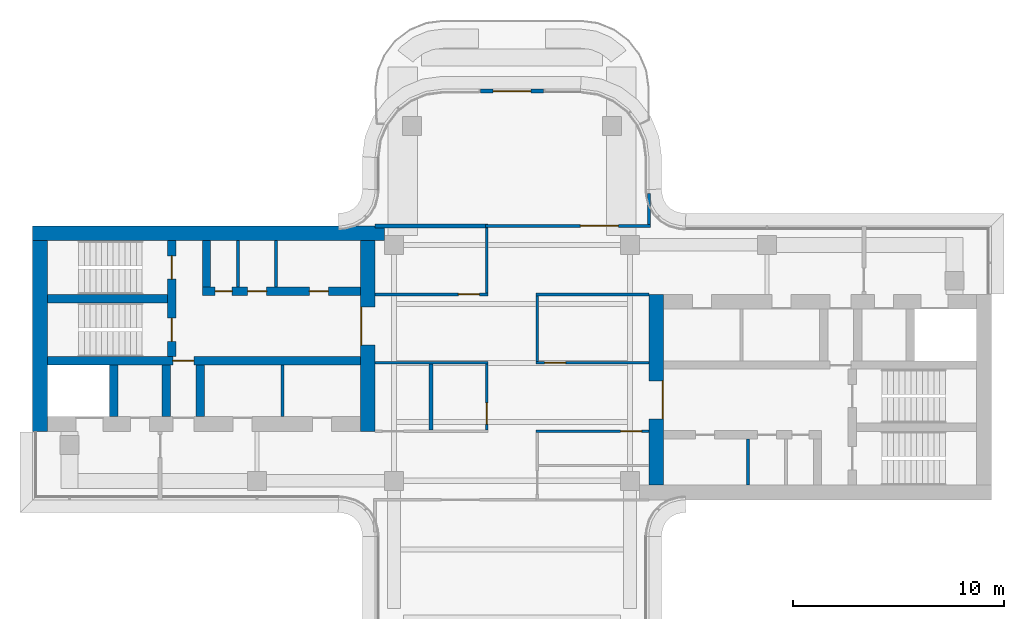
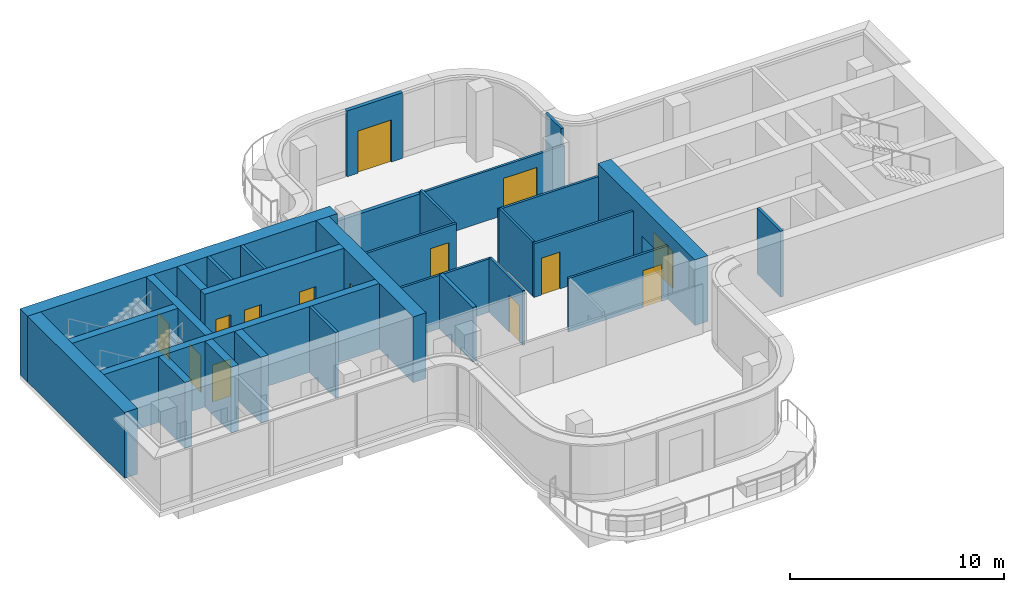
# One storey, part 8 of 11: 29 walls, 14 doors, 14 openings.
"""IFC4 building model written with IfcOpenShell, lengths in metres."""

from ifc_helpers import new_model, si_unit, direction, frame, frame_2d, origin, place, context, subcontext, project, spatial, rectangle, extrude, source, transform, mapped, material, layer, layer_set, type_object, element, fill, save


model = new_model("IFC4")

# Units and contexts
model_context = context("Model", 3, precision=1e-05, world=origin(), true_north=direction((0.0, 1.0)))
body_context = subcontext(model_context, "Body", "Model", "MODEL_VIEW")
ifc_project = project(units=[si_unit("LENGTHUNIT", "METRE"), si_unit("AREAUNIT", "SQUARE_METRE"), si_unit("VOLUMEUNIT", "CUBIC_METRE"), si_unit("PLANEANGLEUNIT", "RADIAN"), si_unit("MASSUNIT", "GRAM", prefix="KILO")], contexts=[model_context])

# Site, building, storey
site_placement = place(None, origin())
site = spatial("IfcSite", under=ifc_project, at=site_placement, CompositionType="ELEMENT")
building_placement = place(site_placement, origin())
building = spatial("IfcBuilding", under=site, at=building_placement, Name="Trellis Farm Tower", CompositionType="ELEMENT")
storey_placement = place(building_placement, frame((0.0, 0.0, 346.10009765625)))
storey = spatial("IfcBuildingStorey", under=building, at=storey_placement, Name="L78", CompositionType="ELEMENT", Elevation=346.10009765625)

# Wall, opening, door
ifc_material_1 = material(Name="Concrete C50/60", Category="concrete")
ifc_layer_1 = layer(ifc_material_1, 0.699951171875)
ifc_layer_set_1 = layer_set([ifc_layer_1], Name="CORE OUTER WALL 700 CONCRETE C50/60")
wall_type_1 = type_object("IfcWallType", Name="CORE OUTER WALL 700 CONCRETE C50/60", PredefinedType="SHEAR", material=ifc_layer_set_1)
shared_shape_1 = source(origin(), body_context, "Body", "SweptSolid", [
    extrude(rectangle(XDim=9.050048828125, YDim=0.699951171875, at=frame_2d((4.52490234375, 0.0))), origin(), (0.0, 0.0, 1.0), 3.75),
])
wall_1_placement = place(storey_placement, frame((6.85009765625, -5.800048828125, 0.0), z_axis=(0.0, 0.0, 1.0), x_axis=(0.0, 1.0, 0.0)))
wall_1 = element("IfcWall", 1, at=wall_1_placement, inside=storey, type_object=wall_type_1, Name="Core wall", PredefinedType="SHEAR", context=body_context, shape_type="MappedRepresentation", body=[
    mapped(shared_shape_1, transform((0.0, 0.0, 0.0))),
])
shared_shape_2 = source(origin(), body_context, "Body", "SweptSolid", [
    extrude(rectangle(XDim=1.800048828125, YDim=2.10009765625, at=frame_2d((0.89990234375, 1.050048828125))), frame((0.0, 0.360107421875, 0.0), z_axis=(0.0, -1.0, 0.0), x_axis=(1.0, 0.0, 0.0)), (0.0, 0.0, 1.0), 0.72021484375),
])
opening_1_placement = place(wall_1_placement, frame((3.14990234375, 0.0, 0.0)))
opening_1 = element("IfcOpeningElement", 2, at=opening_1_placement, cuts=wall_1, Name="Opening DC1", PredefinedType="OPENING", context=body_context, shape_type="MappedRepresentation", body=[
    mapped(shared_shape_2, transform((0.0, 0.0, 0.0))),
])
ifc_material_2 = material(Name="Steel", Category="steel")
door_type_1 = type_object("IfcDoorType", Name="CORE FIRE DOOR DOUBLE 1800 X 2100", OperationType="DOUBLE_DOOR_SINGLE_SWING", PredefinedType="DOOR", material=ifc_material_2)
shared_shape_3 = source(origin(), body_context, "Body", "SweptSolid", [
    extrude(rectangle(XDim=1.800048828125, YDim=2.10009765625, at=frame_2d((0.89990234375, 1.050048828125))), frame((0.0, -0.27490234375, 0.0), z_axis=(0.0, -1.0, 0.0), x_axis=(1.0, 0.0, 0.0)), (0.0, 0.0, 1.0), 0.050048828125),
])
door_1_placement = place(opening_1_placement, origin())
door_1 = element("IfcDoor", 3, at=door_1_placement, inside=storey, type_object=door_type_1, Name="Core door", OperationType="DOUBLE_DOOR_SINGLE_SWING", OverallHeight=2.10009765625, OverallWidth=1.800048828125, PredefinedType="DOOR", context=body_context, shape_type="MappedRepresentation", body=[
    mapped(shared_shape_3, transform((0.0, 0.0, 0.0))),
])
fill(opening_1, door_1)

wall_2_placement = place(storey_placement, frame((-6.85009765625, 5.800048828125, 0.0), z_axis=(0.0, 0.0, 1.0), x_axis=(0.0, -1.0, 0.0)))
wall_2 = element("IfcWall", 4, at=wall_2_placement, inside=storey, type_object=wall_type_1, Name="Core wall", PredefinedType="SHEAR", context=body_context, shape_type="MappedRepresentation", body=[
    mapped(shared_shape_1, transform((0.0, 0.0, 0.0))),
])
opening_2_placement = place(wall_2_placement, frame((3.14990234375, 0.0, 0.0)))
opening_2 = element("IfcOpeningElement", 5, at=opening_2_placement, cuts=wall_2, Name="Opening DC87", PredefinedType="OPENING", context=body_context, shape_type="MappedRepresentation", body=[
    mapped(shared_shape_2, transform((0.0, 0.0, 0.0))),
])
door_2_placement = place(opening_2_placement, origin())
door_2 = element("IfcDoor", 6, at=door_2_placement, inside=storey, type_object=door_type_1, Name="Core door", OperationType="DOUBLE_DOOR_SINGLE_SWING", OverallHeight=2.10009765625, OverallWidth=1.800048828125, PredefinedType="DOOR", context=body_context, shape_type="MappedRepresentation", body=[
    mapped(shared_shape_3, transform((0.0, 0.0, 0.0))),
])
fill(opening_2, door_2)

# Walls
wall_3_placement = place(storey_placement, frame((-22.39990234375, 5.800048828125, 0.0), z_axis=(0.0, 0.0, 1.0), x_axis=(0.0, -1.0, 0.0)))
element("IfcWall", 7, at=wall_3_placement, inside=storey, type_object=wall_type_1, Name="Core wall", PredefinedType="SHEAR", context=body_context, shape_type="MappedRepresentation", body=[
    mapped(shared_shape_1, transform((0.0, 0.0, 0.0))),
])
ifc_layer_2 = layer(ifc_material_1, 0.39990234375)
ifc_layer_set_2 = layer_set([ifc_layer_2], Name="CORE INNER WALL 400 CONCRETE C50/60")
wall_type_2 = type_object("IfcWallType", Name="CORE INNER WALL 400 CONCRETE C50/60", PredefinedType="SHEAR", material=ifc_layer_set_2)
shared_shape_4 = source(origin(), body_context, "Body", "SweptSolid", [
    extrude(rectangle(XDim=2.449951171875, YDim=0.39990234375, at=frame_2d((1.22509765625, 0.0))), origin(), (0.0, 0.0, 1.0), 3.75),
])
for number, where, z_axis, x_axis, name in (
    (8, (-14.800048828125, -0.10009765625, 0.0), (0.0, 0.0, 1.0), (0.0, -1.0, 0.0), "Core wall"),
    (9, (-16.39990234375, -0.10009765625, 0.0), (0.0, 0.0, 1.0), (0.0, -1.0, 0.0), "Core wall"),
    (10, (-18.89990234375, -0.10009765625, 0.0), (0.0, 0.0, 1.0), (0.0, -1.0, 0.0), "Core wall"),
):
    element("IfcWall", number, at=place(storey_placement, frame(where, z_axis=z_axis, x_axis=x_axis)), inside=storey, type_object=wall_type_2, Name=name, PredefinedType="SHEAR", context=body_context, shape_type="MappedRepresentation", body=[
        mapped(shared_shape_4, transform((0.0, 0.0, 0.0))),
    ])
ifc_material_3 = material(Name="Masonry blockwork", Category="masonry")
ifc_layer_3 = layer(ifc_material_3, 0.14990234375)
ifc_layer_set_3 = layer_set([ifc_layer_3], Name="CORE PARTITION 150 BLOCKWORK")
wall_type_3 = type_object("IfcWallType", Name="CORE PARTITION 150 BLOCKWORK", PredefinedType="PARTITIONING", material=ifc_layer_set_3)
shared_shape_5 = source(origin(), body_context, "Body", "SweptSolid", [
    extrude(rectangle(XDim=2.449951171875, YDim=0.14990234375, at=frame_2d((1.22509765625, 0.0))), origin(), (0.0, 0.0, 1.0), 3.75),
])
wall_4_placement = place(storey_placement, frame((-10.89990234375, -0.10009765625, 0.0), z_axis=(0.0, 0.0, 1.0), x_axis=(0.0, -1.0, 0.0)))
element("IfcWall", 11, at=wall_4_placement, inside=storey, type_object=wall_type_3, Name="Core room partition", PredefinedType="PARTITIONING", context=body_context, shape_type="MappedRepresentation", body=[
    mapped(shared_shape_5, transform((0.0, 0.0, 0.0))),
])
shared_shape_6 = source(origin(), body_context, "Body", "SweptSolid", [
    extrude(rectangle(XDim=16.699951171875, YDim=0.699951171875, at=frame_2d((8.35009765625, 0.0))), origin(), (0.0, 0.0, 1.0), 3.75),
])
wall_5_placement = place(storey_placement, frame((-6.050048828125, 6.14990234375, 0.0), z_axis=(0.0, 0.0, 1.0), x_axis=(-1.0, 0.0, 0.0)))
element("IfcWall", 12, at=wall_5_placement, inside=storey, type_object=wall_type_1, Name="Core wall", PredefinedType="SHEAR", context=body_context, shape_type="MappedRepresentation", body=[
    mapped(shared_shape_6, transform((0.0, 0.0, 0.0))),
])

# Wall, openings, doors
shared_shape_7 = source(origin(), body_context, "Body", "SweptSolid", [
    extrude(rectangle(XDim=7.5, YDim=0.39990234375, at=frame_2d((3.75, 0.0))), origin(), (0.0, 0.0, 1.0), 3.75),
])
wall_6_placement = place(storey_placement, frame((-7.199951171875, 3.39990234375, 0.0), z_axis=(0.0, 0.0, 1.0), x_axis=(-1.0, 0.0, 0.0)))
wall_6 = element("IfcWall", 13, at=wall_6_placement, inside=storey, type_object=wall_type_2, Name="Core wall", PredefinedType="SHEAR", context=body_context, shape_type="MappedRepresentation", body=[
    mapped(shared_shape_7, transform((0.0, 0.0, 0.0))),
])
shared_shape_8 = source(origin(), body_context, "Body", "SweptSolid", [
    extrude(rectangle(XDim=0.89990234375, YDim=2.10009765625, at=frame_2d((0.449951171875, 1.050048828125))), frame((0.0, 0.2099609375, 0.0), z_axis=(0.0, -1.0, 0.0), x_axis=(1.0, 0.0, 0.0)), (0.0, 0.0, 1.0), 0.419921875),
])
opening_3_placement = place(wall_6_placement, frame((1.512451171875, 0.0, 0.0)))
opening_3 = element("IfcOpeningElement", 14, at=opening_3_placement, cuts=wall_6, Name="Opening DC139", PredefinedType="OPENING", context=body_context, shape_type="MappedRepresentation", body=[
    mapped(shared_shape_8, transform((0.0, 0.0, 0.0))),
])
opening_4_placement = place(wall_6_placement, frame((4.449951171875, 0.0, 0.0)))
opening_4 = element("IfcOpeningElement", 15, at=opening_4_placement, cuts=wall_6, Name="Opening DC146", PredefinedType="OPENING", context=body_context, shape_type="MappedRepresentation", body=[
    mapped(shared_shape_8, transform((0.0, 0.0, 0.0))),
])
shared_shape_9 = source(origin(), body_context, "Body", "SweptSolid", [
    extrude(rectangle(XDim=0.800048828125, YDim=2.10009765625, at=frame_2d((0.39990234375, 1.050048828125))), frame((0.0, 0.2099609375, 0.0), z_axis=(0.0, -1.0, 0.0), x_axis=(1.0, 0.0, 0.0)), (0.0, 0.0, 1.0), 0.419921875),
])
opening_5_placement = place(wall_6_placement, frame((6.08740234375, 0.0, 0.0)))
opening_5 = element("IfcOpeningElement", 16, at=opening_5_placement, cuts=wall_6, Name="Opening DC149", PredefinedType="OPENING", context=body_context, shape_type="MappedRepresentation", body=[
    mapped(shared_shape_9, transform((0.0, 0.0, 0.0))),
])
door_type_2 = type_object("IfcDoorType", Name="CORE FIRE DOOR 900 X 2100", OperationType="NOTDEFINED", PredefinedType="DOOR", material=ifc_material_2)
shared_shape_10 = source(origin(), body_context, "Body", "SweptSolid", [
    extrude(rectangle(XDim=0.89990234375, YDim=2.10009765625, at=frame_2d((0.449951171875, 1.050048828125))), frame((0.0, 0.02490234375, 0.0), z_axis=(0.0, -1.0, 0.0), x_axis=(1.0, 0.0, 0.0)), (0.0, 0.0, 1.0), 0.050048828125),
])
door_3_placement = place(opening_3_placement, origin())
door_3 = element("IfcDoor", 17, at=door_3_placement, inside=storey, type_object=door_type_2, Name="Core door", OperationType="SINGLE_SWING_LEFT", OverallHeight=2.10009765625, OverallWidth=0.89990234375, PredefinedType="DOOR", context=body_context, shape_type="MappedRepresentation", body=[
    mapped(shared_shape_10, transform((0.0, 0.0, 0.0))),
])
fill(opening_3, door_3)
door_4_placement = place(opening_4_placement, origin())
door_4 = element("IfcDoor", 18, at=door_4_placement, inside=storey, type_object=door_type_2, Name="Core door", OperationType="SINGLE_SWING_RIGHT", OverallHeight=2.10009765625, OverallWidth=0.89990234375, PredefinedType="DOOR", context=body_context, shape_type="MappedRepresentation", body=[
    mapped(shared_shape_10, transform((0.0, 0.0, 0.0))),
])
fill(opening_4, door_4)
door_type_3 = type_object("IfcDoorType", Name="CORE FIRE DOOR 800 X 2100", OperationType="NOTDEFINED", PredefinedType="DOOR", material=ifc_material_2)
shared_shape_11 = source(origin(), body_context, "Body", "SweptSolid", [
    extrude(rectangle(XDim=0.800048828125, YDim=2.10009765625, at=frame_2d((0.39990234375, 1.050048828125))), frame((0.0, 0.02490234375, 0.0), z_axis=(0.0, -1.0, 0.0), x_axis=(1.0, 0.0, 0.0)), (0.0, 0.0, 1.0), 0.050048828125),
])
door_5_placement = place(opening_5_placement, origin())
door_5 = element("IfcDoor", 19, at=door_5_placement, inside=storey, type_object=door_type_3, Name="Core door", OperationType="SINGLE_SWING_LEFT", OverallHeight=2.10009765625, OverallWidth=0.800048828125, PredefinedType="DOOR", context=body_context, shape_type="MappedRepresentation", body=[
    mapped(shared_shape_11, transform((0.0, 0.0, 0.0))),
])
fill(opening_5, door_5)

# Wall, opening, door
shared_shape_12 = source(origin(), body_context, "Body", "SweptSolid", [
    extrude(rectangle(XDim=14.85009765625, YDim=0.39990234375, at=frame_2d((7.425048828125, 0.0))), origin(), (0.0, 0.0, 1.0), 3.75),
])
wall_7_placement = place(storey_placement, frame((-7.199951171875, 0.10009765625, 0.0), z_axis=(0.0, 0.0, 1.0), x_axis=(-1.0, 0.0, 0.0)))
wall_7 = element("IfcWall", 20, at=wall_7_placement, inside=storey, type_object=wall_type_2, Name="Core wall", PredefinedType="SHEAR", context=body_context, shape_type="MappedRepresentation", body=[
    mapped(shared_shape_12, transform((0.0, 0.0, 0.0))),
])
shared_shape_13 = source(origin(), body_context, "Body", "SweptSolid", [
    extrude(rectangle(XDim=1.0, YDim=2.10009765625, at=frame_2d((0.5, 1.050048828125))), frame((0.0, 0.2099609375, 0.0), z_axis=(0.0, -1.0, 0.0), x_axis=(1.0, 0.0, 0.0)), (0.0, 0.0, 1.0), 0.419921875),
])
opening_6_placement = place(wall_7_placement, frame((7.89990234375, 0.0, 0.0)))
opening_6 = element("IfcOpeningElement", 21, at=opening_6_placement, cuts=wall_7, Name="Opening DC91", PredefinedType="OPENING", context=body_context, shape_type="MappedRepresentation", body=[
    mapped(shared_shape_13, transform((0.0, 0.0, 0.0))),
])
door_type_4 = type_object("IfcDoorType", Name="CORE FIRE DOOR 1000 X 2100", OperationType="NOTDEFINED", PredefinedType="DOOR", material=ifc_material_2)
shared_shape_14 = source(origin(), body_context, "Body", "SweptSolid", [
    extrude(rectangle(XDim=1.0, YDim=2.10009765625, at=frame_2d((0.5, 1.050048828125))), frame((0.0, 0.02490234375, 0.0), z_axis=(0.0, -1.0, 0.0), x_axis=(1.0, 0.0, 0.0)), (0.0, 0.0, 1.0), 0.050048828125),
])
door_6_placement = place(opening_6_placement, origin())
door_6 = element("IfcDoor", 22, at=door_6_placement, inside=storey, type_object=door_type_4, Name="Core door", OperationType="SINGLE_SWING_RIGHT", OverallHeight=2.10009765625, OverallWidth=1.0, PredefinedType="DOOR", context=body_context, shape_type="MappedRepresentation", body=[
    mapped(shared_shape_14, transform((0.0, 0.0, 0.0))),
])
fill(opening_6, door_6)

# Wall, openings, doors
shared_shape_15 = source(origin(), body_context, "Body", "SweptSolid", [
    extrude(rectangle(XDim=5.5, YDim=0.39990234375, at=frame_2d((2.75, 0.0))), origin(), (0.0, 0.0, 1.0), 3.75),
])
wall_8_placement = place(storey_placement, frame((-16.14990234375, 5.800048828125, 0.0), z_axis=(0.0, 0.0, 1.0), x_axis=(0.0, -1.0, 0.0)))
wall_8 = element("IfcWall", 23, at=wall_8_placement, inside=storey, type_object=wall_type_2, Name="Core wall", PredefinedType="SHEAR", context=body_context, shape_type="MappedRepresentation", body=[
    mapped(shared_shape_15, transform((0.0, 0.0, 0.0))),
])
shared_shape_16 = source(origin(), body_context, "Body", "SweptSolid", [
    extrude(rectangle(XDim=1.10009765625, YDim=2.10009765625, at=frame_2d((0.550048828125, 1.050048828125))), frame((0.0, 0.2099609375, 0.0), z_axis=(0.0, -1.0, 0.0), x_axis=(1.0, 0.0, 0.0)), (0.0, 0.0, 1.0), 0.419921875),
])
opening_7_placement = place(wall_8_placement, frame((0.72509765625, 0.0, 0.0)))
opening_7 = element("IfcOpeningElement", 24, at=opening_7_placement, cuts=wall_8, Name="Opening DC88", PredefinedType="OPENING", context=body_context, shape_type="MappedRepresentation", body=[
    mapped(shared_shape_16, transform((0.0, 0.0, 0.0))),
])
opening_8_placement = place(wall_8_placement, frame((3.675048828125, 0.0, 0.0)))
opening_8 = element("IfcOpeningElement", 25, at=opening_8_placement, cuts=wall_8, Name="Opening DC89", PredefinedType="OPENING", context=body_context, shape_type="MappedRepresentation", body=[
    mapped(shared_shape_16, transform((0.0, 0.0, 0.0))),
])
door_type_5 = type_object("IfcDoorType", Name="CORE FIRE DOOR 1100 X 2100", OperationType="NOTDEFINED", PredefinedType="DOOR", material=ifc_material_2)
shared_shape_17 = source(origin(), body_context, "Body", "SweptSolid", [
    extrude(rectangle(XDim=1.10009765625, YDim=2.10009765625, at=frame_2d((0.550048828125, 1.050048828125))), frame((0.0, 0.02490234375, 0.0), z_axis=(0.0, -1.0, 0.0), x_axis=(1.0, 0.0, 0.0)), (0.0, 0.0, 1.0), 0.050048828125),
])
door_7_placement = place(opening_7_placement, origin())
door_7 = element("IfcDoor", 26, at=door_7_placement, inside=storey, type_object=door_type_5, Name="Core door", OperationType="SINGLE_SWING_RIGHT", OverallHeight=2.10009765625, OverallWidth=1.10009765625, PredefinedType="DOOR", context=body_context, shape_type="MappedRepresentation", body=[
    mapped(shared_shape_17, transform((0.0, 0.0, 0.0))),
])
fill(opening_7, door_7)
door_8_placement = place(opening_8_placement, origin())
door_8 = element("IfcDoor", 27, at=door_8_placement, inside=storey, type_object=door_type_5, Name="Core door", OperationType="SINGLE_SWING_LEFT", OverallHeight=2.10009765625, OverallWidth=1.10009765625, PredefinedType="DOOR", context=body_context, shape_type="MappedRepresentation", body=[
    mapped(shared_shape_17, transform((0.0, 0.0, 0.0))),
])
fill(opening_8, door_8)

# Walls
shared_shape_18 = source(origin(), body_context, "Body", "SweptSolid", [
    extrude(rectangle(XDim=5.699951171875, YDim=0.39990234375, at=frame_2d((2.85009765625, 0.0))), origin(), (0.0, 0.0, 1.0), 3.75),
])
wall_9_placement = place(storey_placement, frame((-16.35009765625, 3.050048828125, 0.0), z_axis=(0.0, 0.0, 1.0), x_axis=(-1.0, 0.0, 0.0)))
element("IfcWall", 28, at=wall_9_placement, inside=storey, type_object=wall_type_2, Name="Core wall", PredefinedType="SHEAR", context=body_context, shape_type="MappedRepresentation", body=[
    mapped(shared_shape_18, transform((0.0, 0.0, 0.0))),
])
shared_shape_19 = source(origin(), body_context, "Body", "SweptSolid", [
    extrude(rectangle(XDim=2.199951171875, YDim=0.39990234375, at=frame_2d((1.10009765625, 0.0))), origin(), (0.0, 0.0, 1.0), 3.75),
])
wall_10_placement = place(storey_placement, frame((-14.5, 5.800048828125, 0.0), z_axis=(0.0, 0.0, 1.0), x_axis=(0.0, -1.0, 0.0)))
element("IfcWall", 29, at=wall_10_placement, inside=storey, type_object=wall_type_2, Name="Core wall", PredefinedType="SHEAR", context=body_context, shape_type="MappedRepresentation", body=[
    mapped(shared_shape_19, transform((0.0, 0.0, 0.0))),
])
shared_shape_20 = source(origin(), body_context, "Body", "SweptSolid", [
    extrude(rectangle(XDim=2.199951171875, YDim=0.14990234375, at=frame_2d((1.10009765625, 0.0))), origin(), (0.0, 0.0, 1.0), 3.75),
])
for number, where, z_axis, x_axis, name in (
    (30, (11.199951171875, -5.800048828125, 0.0), (0.0, 0.0, 1.0), (0.0, 1.0, 0.0), "Core room partition"),
    (31, (-11.199951171875, 5.800048828125, 0.0), (0.0, 0.0, 1.0), (0.0, -1.0, 0.0), "Core room partition"),
    (32, (-13.0, 5.800048828125, 0.0), (0.0, 0.0, 1.0), (0.0, -1.0, 0.0), "Core room partition"),
):
    element("IfcWall", number, at=place(storey_placement, frame(where, z_axis=z_axis, x_axis=x_axis)), inside=storey, type_object=wall_type_3, Name=name, PredefinedType="PARTITIONING", context=body_context, shape_type="MappedRepresentation", body=[
        mapped(shared_shape_20, transform((0.0, 0.0, 0.0))),
    ])

# Wall, opening, door
ifc_material_4 = material(Name="Sandstone faced insulated wall", Category="masonry")
ifc_layer_4 = layer(ifc_material_4, 0.199951171875)
ifc_layer_set_4 = layer_set([ifc_layer_4], Name="EXTERNAL INFILL WALL 200")
wall_type_4 = type_object("IfcWallType", Name="EXTERNAL INFILL WALL 200", PredefinedType="SOLIDWALL", material=ifc_layer_set_4)
shared_shape_21 = source(origin(), body_context, "Body", "SweptSolid", [
    extrude(rectangle(XDim=3.0, YDim=0.199951171875, at=frame_2d((1.5, 0.0))), origin(), (0.0, 0.0, 1.0), 3.75),
])
wall_11_placement = place(storey_placement, frame((1.5, 12.89990234375, 0.0), z_axis=(0.0, 0.0, 1.0), x_axis=(-1.0, 0.0, 0.0)))
wall_11 = element("IfcWall", 33, at=wall_11_placement, inside=storey, type_object=wall_type_4, Name="EW1 02", PredefinedType="SOLIDWALL", context=body_context, shape_type="MappedRepresentation", body=[
    mapped(shared_shape_21, transform((0.0, 0.0, 0.0))),
])
shared_shape_22 = source(origin(), body_context, "Body", "SweptSolid", [
    extrude(rectangle(XDim=1.800048828125, YDim=2.39990234375, at=frame_2d((0.89990234375, 1.199951171875))), frame((0.0, 0.110107421875, 0.0), z_axis=(0.0, -1.0, 0.0), x_axis=(1.0, 0.0, 0.0)), (0.0, 0.0, 1.0), 0.22021484375),
])
opening_9_placement = place(wall_11_placement, frame((0.60009765625, 0.0, 0.0)))
opening_9 = element("IfcOpeningElement", 34, at=opening_9_placement, cuts=wall_11, Name="Opening ED1", PredefinedType="OPENING", context=body_context, shape_type="MappedRepresentation", body=[
    mapped(shared_shape_22, transform((0.0, 0.0, 0.0))),
])
ifc_material_5 = material(Name="Aluminium framed glazed door", Category="aluminium")
door_type_6 = type_object("IfcDoorType", Name="BALCONY DOOR 1800x2400", OperationType="DOUBLE_DOOR_SINGLE_SWING", PredefinedType="DOOR", material=ifc_material_5)
shared_shape_23 = source(origin(), body_context, "Body", "SweptSolid", [
    extrude(rectangle(XDim=1.800048828125, YDim=2.39990234375, at=frame_2d((0.89990234375, 1.199951171875))), frame((0.0, 0.02490234375, 0.0), z_axis=(0.0, -1.0, 0.0), x_axis=(1.0, 0.0, 0.0)), (0.0, 0.0, 1.0), 0.050048828125),
])
door_9_placement = place(opening_9_placement, origin())
door_9 = element("IfcDoor", 35, at=door_9_placement, inside=storey, type_object=door_type_6, Name="Balcony door", OperationType="DOUBLE_DOOR_SINGLE_SWING", OverallHeight=2.39990234375, OverallWidth=1.800048828125, PredefinedType="DOOR", context=body_context, shape_type="MappedRepresentation", body=[
    mapped(shared_shape_23, transform((0.0, 0.0, 0.0))),
])
fill(opening_9, door_9)

ifc_material_6 = material(Name="Plasterboard on steel studs, mineral wool", Category="steel")
ifc_layer_5 = layer(ifc_material_6, 0.125)
ifc_layer_set_5 = layer_set([ifc_layer_5], Name="PARTITION 125 STUD EI 60")
wall_type_5 = type_object("IfcWallType", Name="PARTITION 125 STUD EI 60", PredefinedType="PARTITIONING", material=ifc_layer_set_5)
shared_shape_24 = source(origin(), body_context, "Body", "SweptSolid", [
    extrude(rectangle(XDim=3.125, YDim=0.125, at=frame_2d((1.5625, 0.0))), origin(), (0.0, 0.0, 1.0), 3.11767578125),
])
wall_12_placement = place(storey_placement, frame((-1.199951171875, -0.0625, 0.0), z_axis=(0.0, 0.0, 1.0), x_axis=(0.0, -1.0, 0.0)))
wall_12 = element("IfcWall", 36, at=wall_12_placement, inside=storey, type_object=wall_type_5, Name="Partition PW1", PredefinedType="PARTITIONING", context=body_context, shape_type="MappedRepresentation", body=[
    mapped(shared_shape_24, transform((0.0, 0.0, 0.0))),
])
shared_shape_25 = source(origin(), body_context, "Body", "SweptSolid", [
    extrude(rectangle(XDim=1.0, YDim=2.10009765625, at=frame_2d((0.5, 1.050048828125))), frame((0.0, 0.072509765625, 0.0), z_axis=(0.0, -1.0, 0.0), x_axis=(1.0, 0.0, 0.0)), (0.0, 0.0, 1.0), 0.14501953125),
])
opening_10_placement = place(wall_12_placement, frame((1.83740234375, 0.0, 0.0)))
opening_10 = element("IfcOpeningElement", 37, at=opening_10_placement, cuts=wall_12, Name="Opening D301", PredefinedType="OPENING", context=body_context, shape_type="MappedRepresentation", body=[
    mapped(shared_shape_25, transform((0.0, 0.0, 0.0))),
])
ifc_material_7 = material(Name="Fire-rated timber door leaf in a hollow metal frame", Category="wood")
door_type_7 = type_object("IfcDoorType", Name="DOOR 1000x2100 FD60", OperationType="NOTDEFINED", PredefinedType="DOOR", material=ifc_material_7)
door_10_placement = place(opening_10_placement, origin())
door_10 = element("IfcDoor", 38, at=door_10_placement, inside=storey, type_object=door_type_7, Name="Door D301", OperationType="SINGLE_SWING_RIGHT", OverallHeight=2.10009765625, OverallWidth=1.0, PredefinedType="DOOR", context=body_context, shape_type="MappedRepresentation", body=[
    mapped(shared_shape_14, transform((0.0, 0.0, 0.0))),
])
fill(opening_10, door_10)

# Walls
wall_13_placement = place(storey_placement, frame((1.199951171875, 3.1875, 0.0), z_axis=(0.0, 0.0, 1.0), x_axis=(0.0, -1.0, 0.0)))
element("IfcWall", 39, at=wall_13_placement, inside=storey, type_object=wall_type_5, Name="Partition PW1", PredefinedType="PARTITIONING", context=body_context, shape_type="MappedRepresentation", body=[
    mapped(shared_shape_24, transform((0.0, 0.0, 0.0))),
])
shared_shape_26 = source(origin(), body_context, "Body", "SweptSolid", [
    extrude(rectangle(XDim=1.468994140625, YDim=0.125, at=frame_2d((0.734375, 0.0))), origin(), (0.0, 0.0, 1.0), 3.75),
])
wall_14_placement = place(storey_placement, frame((6.5, 6.5625, 0.0), z_axis=(0.0, 0.0, 1.0), x_axis=(0.0, 1.0, 0.0)))
element("IfcWall", 40, at=wall_14_placement, inside=storey, type_object=wall_type_5, Name="Partition PW1", PredefinedType="PARTITIONING", context=body_context, shape_type="MappedRepresentation", body=[
    mapped(shared_shape_26, transform((0.0, 0.0, 0.0))),
])

# Wall, opening, door
shared_shape_27 = source(origin(), body_context, "Body", "SweptSolid", [
    extrude(rectangle(XDim=5.362548828125, YDim=0.125, at=frame_2d((2.68115234375, 0.0))), origin(), (0.0, 0.0, 1.0), 3.04638671875),
])
wall_15_placement = place(storey_placement, frame((6.5, -3.25, 0.0), z_axis=(0.0, 0.0, 1.0), x_axis=(-1.0, 0.0, 0.0)))
wall_15 = element("IfcWall", 41, at=wall_15_placement, inside=storey, type_object=wall_type_5, Name="Partition PW1", PredefinedType="PARTITIONING", context=body_context, shape_type="MappedRepresentation", body=[
    mapped(shared_shape_27, transform((0.0, 0.0, 0.0))),
])
opening_11_placement = place(wall_15_placement, frame((0.35009765625, 0.0, 0.0)))
opening_11 = element("IfcOpeningElement", 42, at=opening_11_placement, cuts=wall_15, Name="Opening D102", PredefinedType="OPENING", context=body_context, shape_type="MappedRepresentation", body=[
    mapped(shared_shape_25, transform((0.0, 0.0, 0.0))),
])
door_type_8 = type_object("IfcDoorType", Name="DOOR 1000x2100 FD30S", OperationType="NOTDEFINED", PredefinedType="DOOR", material=ifc_material_7)
door_11_placement = place(opening_11_placement, origin())
door_11 = element("IfcDoor", 43, at=door_11_placement, inside=storey, type_object=door_type_8, Name="Door D102", OperationType="SINGLE_SWING_LEFT", OverallHeight=2.10009765625, OverallWidth=1.0, PredefinedType="DOOR", context=body_context, shape_type="MappedRepresentation", body=[
    mapped(shared_shape_14, transform((0.0, 0.0, 0.0))),
])
fill(opening_11, door_11)

# Wall
wall_16_placement = place(storey_placement, frame((-1.137451171875, 0.0, 0.0), z_axis=(0.0, 0.0, 1.0), x_axis=(-1.0, 0.0, 0.0)))
element("IfcWall", 44, at=wall_16_placement, inside=storey, type_object=wall_type_5, Name="Partition PW1", PredefinedType="PARTITIONING", context=body_context, shape_type="MappedRepresentation", body=[
    mapped(shared_shape_27, transform((0.0, 0.0, 0.0))),
])

# Wall, opening, door
wall_17_placement = place(storey_placement, frame((6.5, 0.0, 0.0), z_axis=(0.0, 0.0, 1.0), x_axis=(-1.0, 0.0, 0.0)))
wall_17 = element("IfcWall", 45, at=wall_17_placement, inside=storey, type_object=wall_type_5, Name="Partition PW1", PredefinedType="PARTITIONING", context=body_context, shape_type="MappedRepresentation", body=[
    mapped(shared_shape_27, transform((0.0, 0.0, 0.0))),
])
opening_12_placement = place(wall_17_placement, frame((3.949951171875, 0.0, 0.0)))
opening_12 = element("IfcOpeningElement", 46, at=opening_12_placement, cuts=wall_17, Name="Opening D103", PredefinedType="OPENING", context=body_context, shape_type="MappedRepresentation", body=[
    mapped(shared_shape_25, transform((0.0, 0.0, 0.0))),
])
door_12_placement = place(opening_12_placement, origin())
door_12 = element("IfcDoor", 47, at=door_12_placement, inside=storey, type_object=door_type_8, Name="Door D103", OperationType="SINGLE_SWING_RIGHT", OverallHeight=2.10009765625, OverallWidth=1.0, PredefinedType="DOOR", context=body_context, shape_type="MappedRepresentation", body=[
    mapped(shared_shape_14, transform((0.0, 0.0, 0.0))),
])
fill(opening_12, door_12)

wall_18_placement = place(storey_placement, frame((-6.5, 3.25, 0.0), z_axis=(0.0, 0.0, 1.0), x_axis=(1.0, 0.0, 0.0)))
wall_18 = element("IfcWall", 48, at=wall_18_placement, inside=storey, type_object=wall_type_5, Name="Partition PW1", PredefinedType="PARTITIONING", context=body_context, shape_type="MappedRepresentation", body=[
    mapped(shared_shape_27, transform((0.0, 0.0, 0.0))),
])
opening_13_placement = place(wall_18_placement, frame((3.949951171875, 0.0, 0.0)))
opening_13 = element("IfcOpeningElement", 49, at=opening_13_placement, cuts=wall_18, Name="Opening D302", PredefinedType="OPENING", context=body_context, shape_type="MappedRepresentation", body=[
    mapped(shared_shape_25, transform((0.0, 0.0, 0.0))),
])
door_13_placement = place(opening_13_placement, origin())
door_13 = element("IfcDoor", 50, at=door_13_placement, inside=storey, type_object=door_type_7, Name="Door D302", OperationType="SINGLE_SWING_RIGHT", OverallHeight=2.10009765625, OverallWidth=1.0, PredefinedType="DOOR", context=body_context, shape_type="MappedRepresentation", body=[
    mapped(shared_shape_14, transform((0.0, 0.0, 0.0))),
])
fill(opening_13, door_13)

# Wall
wall_19_placement = place(storey_placement, frame((1.137451171875, 3.25, 0.0), z_axis=(0.0, 0.0, 1.0), x_axis=(1.0, 0.0, 0.0)))
element("IfcWall", 51, at=wall_19_placement, inside=storey, type_object=wall_type_5, Name="Partition PW1", PredefinedType="PARTITIONING", context=body_context, shape_type="MappedRepresentation", body=[
    mapped(shared_shape_27, transform((0.0, 0.0, 0.0))),
])

# Wall, opening, door
shared_shape_28 = source(origin(), body_context, "Body", "SweptSolid", [
    extrude(rectangle(XDim=7.824951171875, YDim=0.125, at=frame_2d((3.91259765625, 0.0))), origin(), (0.0, 0.0, 1.0), 2.829833984375),
])
wall_20_placement = place(storey_placement, frame((-1.262451171875, 6.5, 0.0), z_axis=(0.0, 0.0, 1.0), x_axis=(1.0, 0.0, 0.0)))
wall_20 = element("IfcWall", 52, at=wall_20_placement, inside=storey, type_object=wall_type_5, Name="Partition PW1", PredefinedType="PARTITIONING", context=body_context, shape_type="MappedRepresentation", body=[
    mapped(shared_shape_28, transform((0.0, 0.0, 0.0))),
])
shared_shape_29 = source(origin(), body_context, "Body", "SweptSolid", [
    extrude(rectangle(XDim=1.800048828125, YDim=2.10009765625, at=frame_2d((0.89990234375, 1.050048828125))), frame((0.0, 0.072509765625, 0.0), z_axis=(0.0, -1.0, 0.0), x_axis=(1.0, 0.0, 0.0)), (0.0, 0.0, 1.0), 0.14501953125),
])
opening_14_placement = place(wall_20_placement, frame((4.512451171875, 0.0, 0.0)))
opening_14 = element("IfcOpeningElement", 53, at=opening_14_placement, cuts=wall_20, Name="Opening D202", PredefinedType="OPENING", context=body_context, shape_type="MappedRepresentation", body=[
    mapped(shared_shape_29, transform((0.0, 0.0, 0.0))),
])
door_type_9 = type_object("IfcDoorType", Name="DOOR PAIR 1800x2100 FD30S", OperationType="NOTDEFINED", PredefinedType="DOOR", material=ifc_material_7)
shared_shape_30 = source(origin(), body_context, "Body", "SweptSolid", [
    extrude(rectangle(XDim=1.800048828125, YDim=2.10009765625, at=frame_2d((0.89990234375, 1.050048828125))), frame((0.0, 0.02490234375, 0.0), z_axis=(0.0, -1.0, 0.0), x_axis=(1.0, 0.0, 0.0)), (0.0, 0.0, 1.0), 0.050048828125),
])
door_14_placement = place(opening_14_placement, origin())
door_14 = element("IfcDoor", 54, at=door_14_placement, inside=storey, type_object=door_type_9, Name="Door D202", OperationType="DOUBLE_DOOR_SINGLE_SWING", OverallHeight=2.10009765625, OverallWidth=1.800048828125, PredefinedType="DOOR", context=body_context, shape_type="MappedRepresentation", body=[
    mapped(shared_shape_30, transform((0.0, 0.0, 0.0))),
])
fill(opening_14, door_14)

# Walls
ifc_material_8 = material(Name="Lightweight blockwork, plastered", Category="masonry")
ifc_layer_6 = layer(ifc_material_8, 0.199951171875)
ifc_layer_set_6 = layer_set([ifc_layer_6], Name="BLOCK WALL 200 EI 120")
wall_type_6 = type_object("IfcWallType", Name="BLOCK WALL 200 EI 120", PredefinedType="PARTITIONING", material=ifc_layer_set_6)
shared_shape_31 = source(origin(), body_context, "Body", "SweptSolid", [
    extrude(rectangle(XDim=3.125, YDim=0.199951171875, at=frame_2d((1.5625, 0.0))), origin(), (0.0, 0.0, 1.0), 3.11767578125),
])
wall_21_placement = place(storey_placement, frame((-3.85009765625, -3.1875, 0.0), z_axis=(0.0, 0.0, 1.0), x_axis=(0.0, 1.0, 0.0)))
element("IfcWall", 55, at=wall_21_placement, inside=storey, type_object=wall_type_6, Name="Partition PW3", PredefinedType="PARTITIONING", context=body_context, shape_type="MappedRepresentation", body=[
    mapped(shared_shape_31, transform((0.0, 0.0, 0.0))),
])
shared_shape_32 = source(origin(), body_context, "Body", "SweptSolid", [
    extrude(rectangle(XDim=3.08740234375, YDim=0.125, at=frame_2d((1.543701171875, 0.0))), origin(), (0.0, 0.0, 1.0), 3.04638671875),
])
wall_22_placement = place(storey_placement, frame((-1.199951171875, 6.39990234375, 0.0), z_axis=(0.0, 0.0, 1.0), x_axis=(0.0, -1.0, 0.0)))
element("IfcWall", 56, at=wall_22_placement, inside=storey, type_object=wall_type_5, Name="Partition PW1", PredefinedType="PARTITIONING", context=body_context, shape_type="MappedRepresentation", body=[
    mapped(shared_shape_32, transform((0.0, 0.0, 0.0))),
])
shared_shape_33 = source(origin(), body_context, "Body", "SweptSolid", [
    extrude(rectangle(XDim=5.362548828125, YDim=0.199951171875, at=frame_2d((2.68115234375, 0.0))), origin(), (0.0, 0.0, 1.0), 2.829833984375),
])
wall_23_placement = place(storey_placement, frame((-6.5, 6.5, 0.0), z_axis=(0.0, 0.0, 1.0), x_axis=(1.0, 0.0, 0.0)))
element("IfcWall", 57, at=wall_23_placement, inside=storey, type_object=wall_type_6, Name="Partition PW3", PredefinedType="PARTITIONING", context=body_context, shape_type="MappedRepresentation", body=[
    mapped(shared_shape_33, transform((0.0, 0.0, 0.0))),
])

save(model, "model.ifc")
